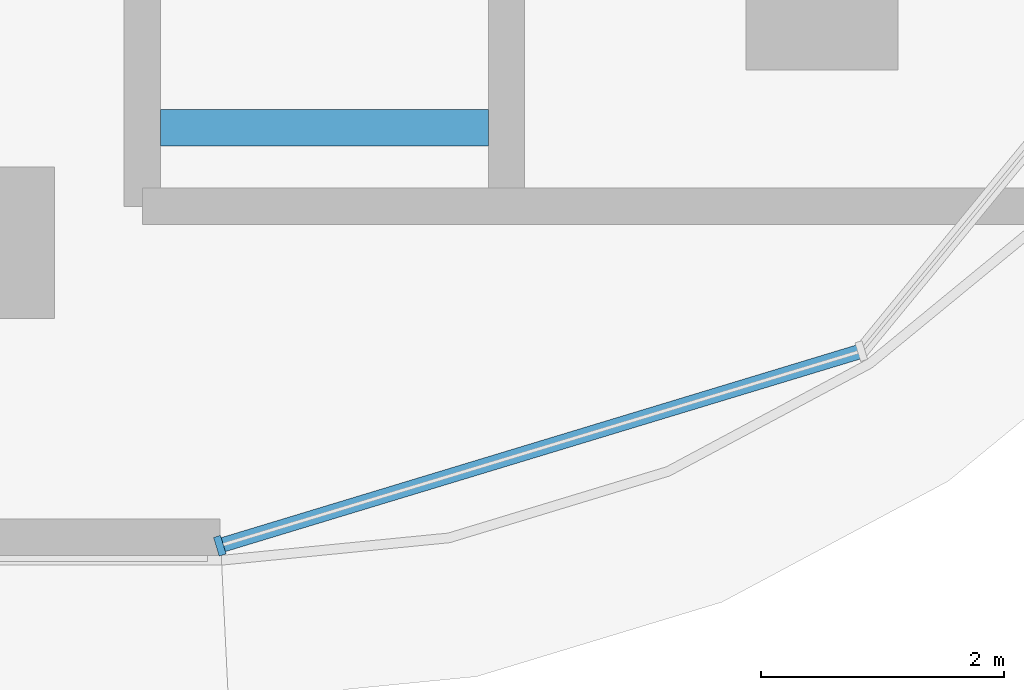
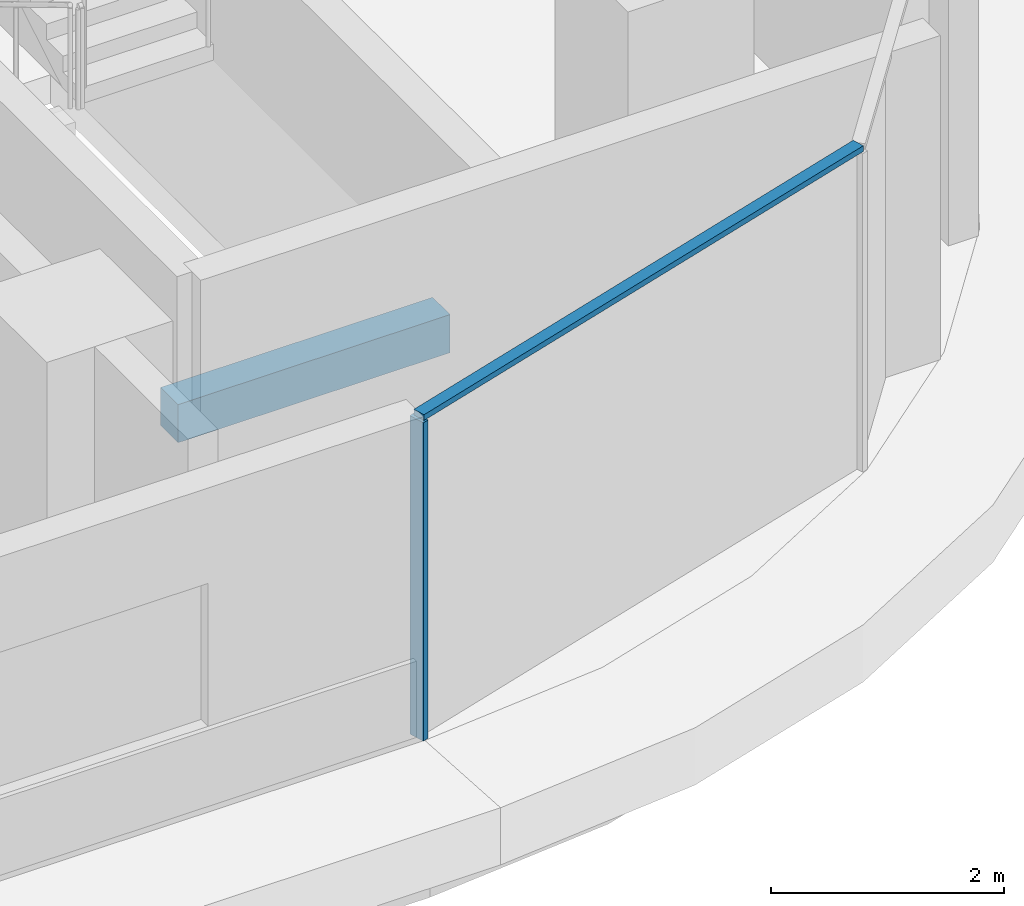
# One storey, part 3 of 25: 2 members, 1 beam, 1 element without a shape of its own.
"""IFC4 building model written with IfcOpenShell, lengths in metres."""

from ifc_helpers import new_model, si_unit, direction, frame, origin, origin_2d, place, context, subcontext, project, spatial, rectangle, extrude, material, material_profile, profile_set, type_object, element, aggregate, save


model = new_model("IFC4")

# Units and contexts
model_context = context("Model", 3, precision=1e-05, world=origin(), true_north=direction((0.0, 1.0)))
body_context = subcontext(model_context, "Body", "Model", "MODEL_VIEW")
ifc_project = project(units=[si_unit("LENGTHUNIT", "METRE"), si_unit("AREAUNIT", "SQUARE_METRE"), si_unit("VOLUMEUNIT", "CUBIC_METRE"), si_unit("PLANEANGLEUNIT", "RADIAN"), si_unit("MASSUNIT", "GRAM", prefix="KILO")], contexts=[model_context])

# Site, building, storey
site_placement = place(None, origin())
site = spatial("IfcSite", under=ifc_project, at=site_placement, CompositionType="ELEMENT")
building_placement = place(site_placement, origin())
building = spatial("IfcBuilding", under=site, at=building_placement, Name="Ogive Portal Towers", CompositionType="ELEMENT")
storey_placement = place(building_placement, frame((0.0, 0.0, 116.699951171875)))
storey = spatial("IfcBuildingStorey", under=building, at=storey_placement, Name="L28", CompositionType="ELEMENT", Elevation=116.699951171875)

# Beam
ifc_material_1 = material(Name="Concrete C40/50", Category="concrete")
ifc_material_profile_1 = material_profile(ifc_material_1, rectangle(XDim=0.300048828125, YDim=0.39990234375, at=origin_2d()), Name="RC 300x400")
ifc_profile_set_1 = profile_set([ifc_material_profile_1], Name="Concrete C40/50")
beam_type = type_object("IfcBeamType", Name="BEAM RC 300x400", PredefinedType="BEAM", material=ifc_profile_set_1)
beam_placement = place(storey_placement, frame((87.0, 22.449951171875, 1.449951171875), z_axis=(1.0, 0.0, 0.0), x_axis=(0.0, 1.0, 0.0)))
element("IfcBeam", 1, at=beam_placement, inside=storey, type_object=beam_type, Name="Landing beam L28", PredefinedType="BEAM", context=body_context, shape_type="SweptSolid", body=[
    extrude(rectangle(XDim=0.300048828125, YDim=0.39990234375, at=origin_2d()), origin(), (0.0, 0.0, 1.0), 2.699951171875),
])

# Curtain wall, members
ifc_material_2 = material(Name="Glass, clear low-iron insulated glazing", Category="glass")
curtain_wall_type = type_object("IfcCurtainWallType", Name="CW FRONT RIBBON 4500", PredefinedType="NOTDEFINED", material=ifc_material_2)
curtain_wall_placement = place(storey_placement, origin())
curtain_wall = element("IfcCurtainWall", 2, at=curtain_wall_placement, inside=storey, type_object=curtain_wall_type, Name="A:L28:f09:cwa", PredefinedType="NOTDEFINED")
ifc_material_3 = material(Name="Aluminium 6063 anodised", Category="aluminium")
ifc_material_profile_2 = material_profile(ifc_material_3, rectangle(XDim=0.159912109375, YDim=0.06005859375, at=origin_2d()), Name="AL 60x160")
ifc_profile_set_2 = profile_set([ifc_material_profile_2], Name="Aluminium 6063 anodised")
member_type_1 = type_object("IfcMemberType", Name="CW MULLION 60x160", PredefinedType="MULLION", material=ifc_profile_set_2)
member_1_placement = place(storey_placement, frame((87.488037109375, 19.0048828125, 0.0), z_axis=(0.0, 0.0, 1.0), x_axis=(-0.290284677254, 0.956940335732, 0.0)))
member_1 = element("IfcMember", 3, at=member_1_placement, type_object=member_type_1, Name="mullion", PredefinedType="MULLION", context=body_context, shape_type="SweptSolid", body=[
    extrude(rectangle(XDim=0.159912109375, YDim=0.06005859375, at=origin_2d()), origin(), (0.0, 0.0, 1.0), 3.340087890625),
])
ifc_material_profile_3 = material_profile(ifc_material_3, rectangle(XDim=0.1201171875, YDim=0.06005859375, at=origin_2d()), Name="AL 120x60")
ifc_profile_set_3 = profile_set([ifc_material_profile_3], Name="Aluminium 6063 anodised")
member_type_2 = type_object("IfcMemberType", Name="CW TRANSOM 60x120", PredefinedType="USERDEFINED", material=ifc_profile_set_3)
member_2_placement = place(storey_placement, frame((87.488037109375, 19.0048828125, 3.3701171875), z_axis=(0.956938481614, 0.290290789392, 0.0), x_axis=(-0.290290789392, 0.956938481614, 0.0)))
member_2 = element("IfcMember", 4, at=member_2_placement, type_object=member_type_2, Name="transom", ObjectType="TRANSOM", PredefinedType="USERDEFINED", context=body_context, shape_type="SweptSolid", body=[
    extrude(rectangle(XDim=0.1201171875, YDim=0.06005859375, at=origin_2d()), origin(), (0.0, 0.0, 1.0), 5.52294921875),
])
aggregate(curtain_wall, [member_2, member_1])

save(model, "model.ifc")
